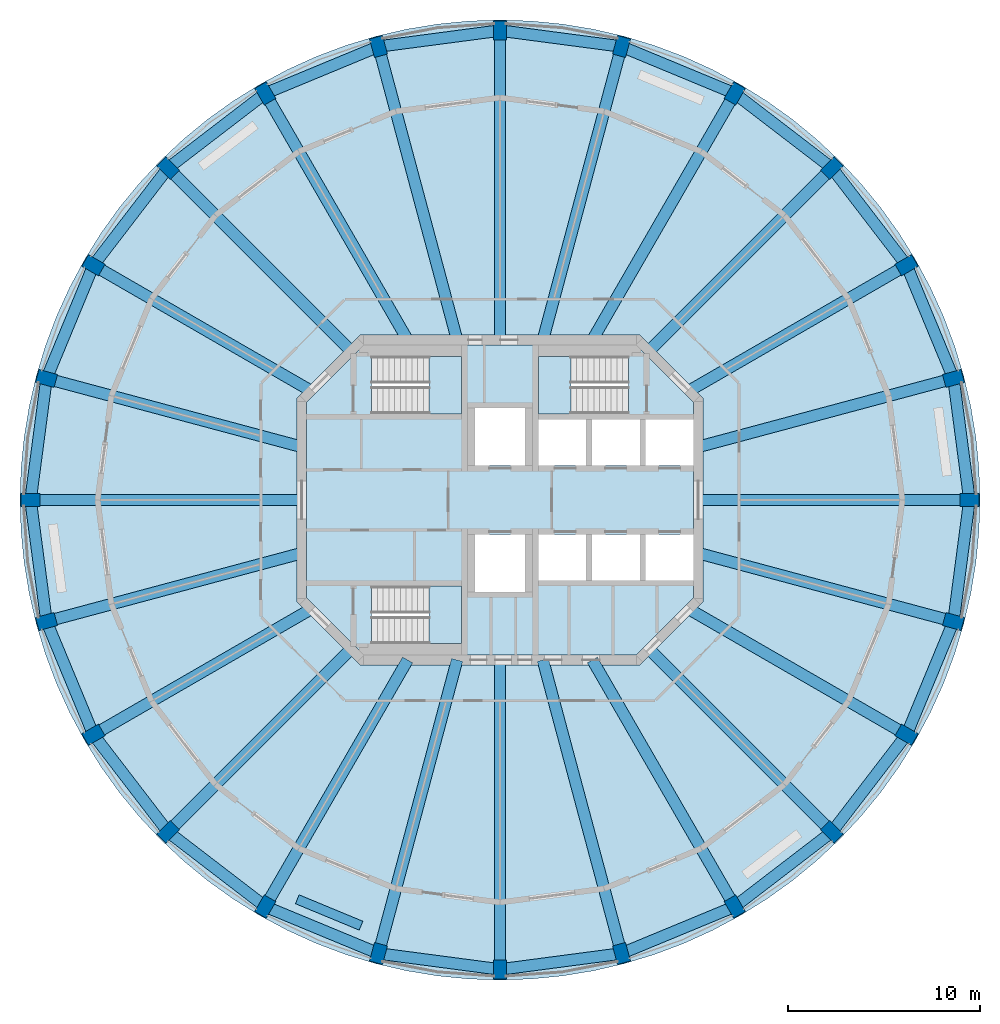
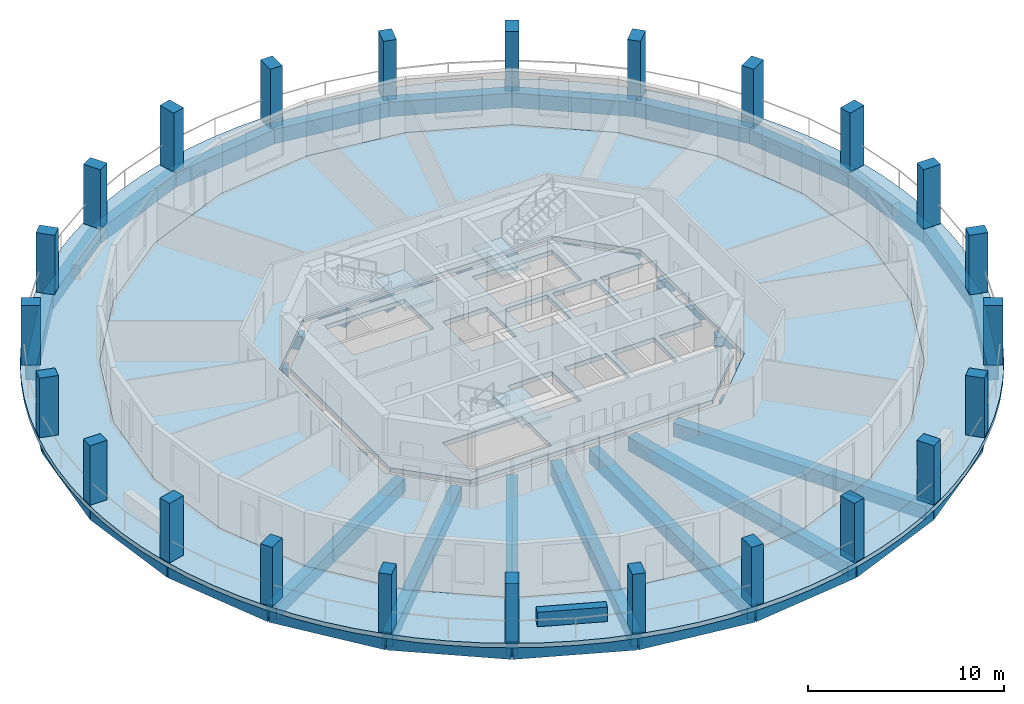
# One storey, part 1 of 9: 48 beams, 24 columns, 6 slabs, 1 wall, 3 elements without a shape of their own.
"""IFC4 building model written with IfcOpenShell, lengths in metres."""

from ifc_helpers import new_model, si_unit, direction, frame, frame_2d, origin, origin_2d, place, context, subcontext, project, spatial, polyline, rectangle, outline, extrude, material, layer, layer_set, material_profile, profile_set, type_object, element, aggregate, save


model = new_model("IFC4")

# Units and contexts
model_context = context("Model", 3, precision=1e-05, world=origin(), true_north=direction((0.0, 1.0)))
body_context = subcontext(model_context, "Body", "Model", "MODEL_VIEW")
ifc_project = project(units=[si_unit("LENGTHUNIT", "METRE"), si_unit("AREAUNIT", "SQUARE_METRE"), si_unit("VOLUMEUNIT", "CUBIC_METRE"), si_unit("PLANEANGLEUNIT", "RADIAN"), si_unit("MASSUNIT", "GRAM", prefix="KILO")], contexts=[model_context])

# Site, building, storey
site_placement = place(None, origin())
site = spatial("IfcSite", under=ifc_project, at=site_placement, CompositionType="ELEMENT")
building_placement = place(site_placement, origin())
building = spatial("IfcBuilding", under=site, at=building_placement, Name="Torre Triforio", CompositionType="ELEMENT")
storey_placement = place(building_placement, frame((0.0, 0.0, 272.300048828125)))
storey = spatial("IfcBuildingStorey", under=building, at=storey_placement, Name="L63", CompositionType="ELEMENT", Elevation=272.300048828125)

# Columns
ifc_material_1 = material(Name="Concrete C40", Category="concrete")
ifc_material_profile_1 = material_profile(ifc_material_1, rectangle(XDim=0.699951171875, YDim=1.0, at=origin_2d()), Name="RC 700x1000")
ifc_profile_set_1 = profile_set([ifc_material_profile_1], Name="Concrete C40")
column_type = type_object("IfcColumnType", Name="Pier RC 700x1000 C40", PredefinedType="COLUMN", material=ifc_profile_set_1)
for number, where, z_axis, x_axis, name in (
    (1, (24.5, 0.0, 0.0), (0.0, 0.0, 1.0), (0.0, 1.0, 0.0), "COL.R.L63.00"),
    (2, (23.665283203125, 6.341064453125, 0.0), (0.0, 0.0, 1.0), (-0.258819045103, 0.965925826289, 0.0), "COL.R.L63.01"),
    (3, (21.217529296875, 12.25, 0.0), (0.0, 0.0, 1.0), (-0.5, 0.866025403784, 0.0), "COL.R.L63.02"),
    (4, (17.32421875, 17.32421875, 0.0), (0.0, 0.0, 1.0), (-0.707106781187, 0.707106781187, 0.0), "COL.R.L63.03"),
    (5, (12.25, 21.217529296875, 0.0), (0.0, 0.0, 1.0), (-0.866025403784, 0.5, 0.0), "COL.R.L63.04"),
    (6, (6.341064453125, 23.665283203125, 0.0), (0.0, 0.0, 1.0), (-0.965925826289, 0.258819045103, 0.0), "COL.R.L63.05"),
    (7, (0.0, 24.5, 0.0), (0.0, 0.0, 1.0), (-1.0, 0.0, 0.0), "COL.R.L63.06"),
    (8, (-6.341064453125, 23.665283203125, 0.0), (0.0, 0.0, 1.0), (-0.965925826289, -0.258819045103, 0.0), "COL.R.L63.07"),
    (9, (-12.25, 21.217529296875, 0.0), (0.0, 0.0, 1.0), (-0.866025403784, -0.5, 0.0), "COL.R.L63.08"),
    (10, (-17.32421875, 17.32421875, 0.0), (0.0, 0.0, 1.0), (-0.707106781187, -0.707106781187, 0.0), "COL.R.L63.09"),
    (11, (-21.217529296875, 12.25, 0.0), (0.0, 0.0, 1.0), (-0.5, -0.866025403784, 0.0), "COL.R.L63.10"),
    (12, (-23.665283203125, 6.341064453125, 0.0), (0.0, 0.0, 1.0), (-0.258819045103, -0.965925826289, 0.0), "COL.R.L63.11"),
    (13, (-24.5, 0.0, 0.0), (0.0, 0.0, 1.0), (0.0, -1.0, 0.0), "COL.R.L63.12"),
    (14, (-23.665283203125, -6.341064453125, 0.0), (0.0, 0.0, 1.0), (0.258819045103, -0.965925826289, 0.0), "COL.R.L63.13"),
    (15, (-21.217529296875, -12.25, 0.0), (0.0, 0.0, 1.0), (0.5, -0.866025403784, 0.0), "COL.R.L63.14"),
    (16, (-17.32421875, -17.32421875, 0.0), (0.0, 0.0, 1.0), (0.707106781187, -0.707106781187, 0.0), "COL.R.L63.15"),
    (17, (-12.25, -21.217529296875, 0.0), (0.0, 0.0, 1.0), (0.866025403784, -0.5, 0.0), "COL.R.L63.16"),
    (18, (-6.341064453125, -23.665283203125, 0.0), (0.0, 0.0, 1.0), (0.965925826289, -0.258819045103, 0.0), "COL.R.L63.17"),
    (19, (0.0, -24.5, 0.0), (0.0, 0.0, 1.0), (1.0, 0.0, 0.0), "COL.R.L63.18"),
    (20, (6.341064453125, -23.665283203125, 0.0), (0.0, 0.0, 1.0), (0.965925826289, 0.258819045103, 0.0), "COL.R.L63.19"),
    (21, (12.25, -21.217529296875, 0.0), (0.0, 0.0, 1.0), (0.866025403784, 0.5, 0.0), "COL.R.L63.20"),
    (22, (17.32421875, -17.32421875, 0.0), (0.0, 0.0, 1.0), (0.707106781187, 0.707106781187, 0.0), "COL.R.L63.21"),
    (23, (21.217529296875, -12.25, 0.0), (0.0, 0.0, 1.0), (0.5, 0.866025403784, 0.0), "COL.R.L63.22"),
    (24, (23.665283203125, -6.341064453125, 0.0), (0.0, 0.0, 1.0), (0.258819045103, 0.965925826289, 0.0), "COL.R.L63.23"),
):
    element("IfcColumn", number, at=place(storey_placement, frame(where, z_axis=z_axis, x_axis=x_axis)), inside=storey, type_object=column_type, Name=name, PredefinedType="COLUMN", context=body_context, shape_type="SweptSolid", body=[
        extrude(rectangle(XDim=0.699951171875, YDim=1.0, at=origin_2d()), origin(), (0.0, 0.0, 1.0), 3.699951171875),
    ])

# Beams
ifc_material_profile_2 = material_profile(ifc_material_1, rectangle(XDim=0.60009765625, YDim=0.85009765625, at=origin_2d()), Name="RC 600x850")
ifc_profile_set_2 = profile_set([ifc_material_profile_2], Name="Concrete C40")
beam_type_1 = type_object("IfcBeamType", Name="Radial beam RC 600x850 C40", PredefinedType="BEAM", material=ifc_profile_set_2)
beam_1_placement = place(storey_placement, frame((10.35009765625, 0.0, -0.705078125), z_axis=(1.0, 0.0, 0.0), x_axis=(0.0, 1.0, 0.0)))
element("IfcBeam", 25, at=beam_1_placement, inside=storey, type_object=beam_type_1, Name="BM.R.L63.00", PredefinedType="BEAM", context=body_context, shape_type="SweptSolid", body=[
    extrude(rectangle(XDim=0.60009765625, YDim=0.85009765625, at=origin_2d()), origin(), (0.0, 0.0, 1.0), 14.14990234375),
])
beam_2_placement = place(storey_placement, frame((10.35009765625, 2.773193359375, -0.705078125), z_axis=(0.965924413872, 0.258824316257, 0.0), x_axis=(-0.258824316257, 0.965924413872, 0.0)))
element("IfcBeam", 26, at=beam_2_placement, inside=storey, type_object=beam_type_1, Name="BM.R.L63.01", PredefinedType="BEAM", context=body_context, shape_type="SweptSolid", body=[
    extrude(rectangle(XDim=0.60009765625, YDim=0.85009765625, at=origin_2d()), origin(), (0.0, 0.0, 1.0), 13.784912109375),
])
beam_3_placement = place(storey_placement, frame((9.860595703125, 5.693115234375, -0.705078125), z_axis=(0.866026853401, 0.499997489182, 0.0), x_axis=(-0.499997489182, 0.866026853401, 0.0)))
element("IfcBeam", 27, at=beam_3_placement, inside=storey, type_object=beam_type_1, Name="BM.R.L63.02", PredefinedType="BEAM", context=body_context, shape_type="SweptSolid", body=[
    extrude(rectangle(XDim=0.60009765625, YDim=0.85009765625, at=origin_2d()), origin(), (0.0, 0.0, 1.0), 13.11376953125),
])
beam_4_placement = place(storey_placement, frame((7.77685546875, 7.77685546875, -0.705078125), z_axis=(0.707106781187, 0.707106781187, 0.0), x_axis=(-0.707106781187, 0.707106781187, 0.0)))
element("IfcBeam", 28, at=beam_4_placement, inside=storey, type_object=beam_type_1, Name="BM.R.L63.03", PredefinedType="BEAM", context=body_context, shape_type="SweptSolid", body=[
    extrude(rectangle(XDim=0.60009765625, YDim=0.85009765625, at=origin_2d()), origin(), (0.0, 0.0, 1.0), 13.501953125),
])
beam_5_placement = place(storey_placement, frame((4.82080078125, 8.35009765625, -0.705078125), z_axis=(0.50000929273, 0.866020038558, 0.0), x_axis=(-0.866020038558, 0.50000929273, 0.0)))
element("IfcBeam", 29, at=beam_5_placement, inside=storey, type_object=beam_type_1, Name="BM.R.L63.04", PredefinedType="BEAM", context=body_context, shape_type="SweptSolid", body=[
    extrude(rectangle(XDim=0.60009765625, YDim=0.85009765625, at=origin_2d()), origin(), (0.0, 0.0, 1.0), 14.858154296875),
])
beam_6_placement = place(storey_placement, frame((2.2373046875, 8.35009765625, -0.705078125), z_axis=(0.258823056343, 0.965924751471, 0.0), x_axis=(-0.965924751471, 0.258823056343, 0.0)))
element("IfcBeam", 30, at=beam_6_placement, inside=storey, type_object=beam_type_1, Name="BM.R.L63.05", PredefinedType="BEAM", context=body_context, shape_type="SweptSolid", body=[
    extrude(rectangle(XDim=0.60009765625, YDim=0.85009765625, at=origin_2d()), origin(), (0.0, 0.0, 1.0), 15.85546875),
])
beam_7_placement = place(storey_placement, frame((0.0, 8.35009765625, -0.705078125), z_axis=(0.0, 1.0, 0.0), x_axis=(-1.0, 0.0, 0.0)))
element("IfcBeam", 31, at=beam_7_placement, inside=storey, type_object=beam_type_1, Name="BM.R.L63.06", PredefinedType="BEAM", context=body_context, shape_type="SweptSolid", body=[
    extrude(rectangle(XDim=0.60009765625, YDim=0.85009765625, at=origin_2d()), origin(), (0.0, 0.0, 1.0), 16.14990234375),
])
beam_8_placement = place(storey_placement, frame((-2.2373046875, 8.35009765625, -0.705078125), z_axis=(-0.258823056343, 0.965924751471, 0.0), x_axis=(-0.965924751471, -0.258823056343, 0.0)))
element("IfcBeam", 32, at=beam_8_placement, inside=storey, type_object=beam_type_1, Name="BM.R.L63.07", PredefinedType="BEAM", context=body_context, shape_type="SweptSolid", body=[
    extrude(rectangle(XDim=0.60009765625, YDim=0.85009765625, at=origin_2d()), origin(), (0.0, 0.0, 1.0), 15.85546875),
])
beam_9_placement = place(storey_placement, frame((-4.82080078125, 8.35009765625, -0.705078125), z_axis=(-0.50000929273, 0.866020038558, 0.0), x_axis=(-0.866020038558, -0.50000929273, 0.0)))
element("IfcBeam", 33, at=beam_9_placement, inside=storey, type_object=beam_type_1, Name="BM.R.L63.08", PredefinedType="BEAM", context=body_context, shape_type="SweptSolid", body=[
    extrude(rectangle(XDim=0.60009765625, YDim=0.85009765625, at=origin_2d()), origin(), (0.0, 0.0, 1.0), 14.858154296875),
])
beam_10_placement = place(storey_placement, frame((-7.77685546875, 7.77685546875, -0.705078125), z_axis=(-0.707106781187, 0.707106781187, 0.0), x_axis=(-0.707106781187, -0.707106781187, 0.0)))
element("IfcBeam", 34, at=beam_10_placement, inside=storey, type_object=beam_type_1, Name="BM.R.L63.09", PredefinedType="BEAM", context=body_context, shape_type="SweptSolid", body=[
    extrude(rectangle(XDim=0.60009765625, YDim=0.85009765625, at=origin_2d()), origin(), (0.0, 0.0, 1.0), 13.501953125),
])
beam_11_placement = place(storey_placement, frame((-9.860595703125, 5.693115234375, -0.705078125), z_axis=(-0.866026853401, 0.499997489182, 0.0), x_axis=(-0.499997489182, -0.866026853401, 0.0)))
element("IfcBeam", 35, at=beam_11_placement, inside=storey, type_object=beam_type_1, Name="BM.R.L63.10", PredefinedType="BEAM", context=body_context, shape_type="SweptSolid", body=[
    extrude(rectangle(XDim=0.60009765625, YDim=0.85009765625, at=origin_2d()), origin(), (0.0, 0.0, 1.0), 13.11376953125),
])
beam_12_placement = place(storey_placement, frame((-10.35009765625, 2.773193359375, -0.705078125), z_axis=(-0.965924413872, 0.258824316257, 0.0), x_axis=(-0.258824316257, -0.965924413872, 0.0)))
element("IfcBeam", 36, at=beam_12_placement, inside=storey, type_object=beam_type_1, Name="BM.R.L63.11", PredefinedType="BEAM", context=body_context, shape_type="SweptSolid", body=[
    extrude(rectangle(XDim=0.60009765625, YDim=0.85009765625, at=origin_2d()), origin(), (0.0, 0.0, 1.0), 13.784912109375),
])
beam_13_placement = place(storey_placement, frame((-10.35009765625, 0.0, -0.705078125), z_axis=(-1.0, 0.0, 0.0), x_axis=(0.0, -1.0, 0.0)))
element("IfcBeam", 37, at=beam_13_placement, inside=storey, type_object=beam_type_1, Name="BM.R.L63.12", PredefinedType="BEAM", context=body_context, shape_type="SweptSolid", body=[
    extrude(rectangle(XDim=0.60009765625, YDim=0.85009765625, at=origin_2d()), origin(), (0.0, 0.0, 1.0), 14.14990234375),
])
beam_14_placement = place(storey_placement, frame((-10.35009765625, -2.773193359375, -0.705078125), z_axis=(-0.965924413872, -0.258824316257, 0.0), x_axis=(0.258824316257, -0.965924413872, 0.0)))
element("IfcBeam", 38, at=beam_14_placement, inside=storey, type_object=beam_type_1, Name="BM.R.L63.13", PredefinedType="BEAM", context=body_context, shape_type="SweptSolid", body=[
    extrude(rectangle(XDim=0.60009765625, YDim=0.85009765625, at=origin_2d()), origin(), (0.0, 0.0, 1.0), 13.784912109375),
])
beam_15_placement = place(storey_placement, frame((-9.860595703125, -5.693115234375, -0.705078125), z_axis=(-0.866026853401, -0.499997489182, 0.0), x_axis=(0.499997489182, -0.866026853401, 0.0)))
element("IfcBeam", 39, at=beam_15_placement, inside=storey, type_object=beam_type_1, Name="BM.R.L63.14", PredefinedType="BEAM", context=body_context, shape_type="SweptSolid", body=[
    extrude(rectangle(XDim=0.60009765625, YDim=0.85009765625, at=origin_2d()), origin(), (0.0, 0.0, 1.0), 13.11376953125),
])
beam_16_placement = place(storey_placement, frame((-7.77685546875, -7.77685546875, -0.705078125), z_axis=(-0.707106781187, -0.707106781187, 0.0), x_axis=(0.707106781187, -0.707106781187, 0.0)))
element("IfcBeam", 40, at=beam_16_placement, inside=storey, type_object=beam_type_1, Name="BM.R.L63.15", PredefinedType="BEAM", context=body_context, shape_type="SweptSolid", body=[
    extrude(rectangle(XDim=0.60009765625, YDim=0.85009765625, at=origin_2d()), origin(), (0.0, 0.0, 1.0), 13.501953125),
])
beam_17_placement = place(storey_placement, frame((-4.82080078125, -8.35009765625, -0.705078125), z_axis=(-0.50000929273, -0.866020038558, 0.0), x_axis=(0.866020038558, -0.50000929273, 0.0)))
element("IfcBeam", 41, at=beam_17_placement, inside=storey, type_object=beam_type_1, Name="BM.R.L63.16", PredefinedType="BEAM", context=body_context, shape_type="SweptSolid", body=[
    extrude(rectangle(XDim=0.60009765625, YDim=0.85009765625, at=origin_2d()), origin(), (0.0, 0.0, 1.0), 14.858154296875),
])
beam_18_placement = place(storey_placement, frame((-2.2373046875, -8.35009765625, -0.705078125), z_axis=(-0.258823056343, -0.965924751471, 0.0), x_axis=(0.965924751471, -0.258823056343, 0.0)))
element("IfcBeam", 42, at=beam_18_placement, inside=storey, type_object=beam_type_1, Name="BM.R.L63.17", PredefinedType="BEAM", context=body_context, shape_type="SweptSolid", body=[
    extrude(rectangle(XDim=0.60009765625, YDim=0.85009765625, at=origin_2d()), origin(), (0.0, 0.0, 1.0), 15.85546875),
])
beam_19_placement = place(storey_placement, frame((0.0, -8.35009765625, -0.705078125), z_axis=(0.0, -1.0, 0.0), x_axis=(1.0, 0.0, 0.0)))
element("IfcBeam", 43, at=beam_19_placement, inside=storey, type_object=beam_type_1, Name="BM.R.L63.18", PredefinedType="BEAM", context=body_context, shape_type="SweptSolid", body=[
    extrude(rectangle(XDim=0.60009765625, YDim=0.85009765625, at=origin_2d()), origin(), (0.0, 0.0, 1.0), 16.14990234375),
])
beam_20_placement = place(storey_placement, frame((2.2373046875, -8.35009765625, -0.705078125), z_axis=(0.258823056343, -0.965924751471, 0.0), x_axis=(0.965924751471, 0.258823056343, 0.0)))
element("IfcBeam", 44, at=beam_20_placement, inside=storey, type_object=beam_type_1, Name="BM.R.L63.19", PredefinedType="BEAM", context=body_context, shape_type="SweptSolid", body=[
    extrude(rectangle(XDim=0.60009765625, YDim=0.85009765625, at=origin_2d()), origin(), (0.0, 0.0, 1.0), 15.85546875),
])
beam_21_placement = place(storey_placement, frame((4.82080078125, -8.35009765625, -0.705078125), z_axis=(0.50000929273, -0.866020038558, 0.0), x_axis=(0.866020038558, 0.50000929273, 0.0)))
element("IfcBeam", 45, at=beam_21_placement, inside=storey, type_object=beam_type_1, Name="BM.R.L63.20", PredefinedType="BEAM", context=body_context, shape_type="SweptSolid", body=[
    extrude(rectangle(XDim=0.60009765625, YDim=0.85009765625, at=origin_2d()), origin(), (0.0, 0.0, 1.0), 14.858154296875),
])
beam_22_placement = place(storey_placement, frame((7.77685546875, -7.77685546875, -0.705078125), z_axis=(0.707106781187, -0.707106781187, 0.0), x_axis=(0.707106781187, 0.707106781187, 0.0)))
element("IfcBeam", 46, at=beam_22_placement, inside=storey, type_object=beam_type_1, Name="BM.R.L63.21", PredefinedType="BEAM", context=body_context, shape_type="SweptSolid", body=[
    extrude(rectangle(XDim=0.60009765625, YDim=0.85009765625, at=origin_2d()), origin(), (0.0, 0.0, 1.0), 13.501953125),
])
beam_23_placement = place(storey_placement, frame((9.860595703125, -5.693115234375, -0.705078125), z_axis=(0.866026853401, -0.499997489182, 0.0), x_axis=(0.499997489182, 0.866026853401, 0.0)))
element("IfcBeam", 47, at=beam_23_placement, inside=storey, type_object=beam_type_1, Name="BM.R.L63.22", PredefinedType="BEAM", context=body_context, shape_type="SweptSolid", body=[
    extrude(rectangle(XDim=0.60009765625, YDim=0.85009765625, at=origin_2d()), origin(), (0.0, 0.0, 1.0), 13.11376953125),
])
beam_24_placement = place(storey_placement, frame((10.35009765625, -2.773193359375, -0.705078125), z_axis=(0.965924413872, -0.258824316257, 0.0), x_axis=(0.258824316257, 0.965924413872, 0.0)))
element("IfcBeam", 48, at=beam_24_placement, inside=storey, type_object=beam_type_1, Name="BM.R.L63.23", PredefinedType="BEAM", context=body_context, shape_type="SweptSolid", body=[
    extrude(rectangle(XDim=0.60009765625, YDim=0.85009765625, at=origin_2d()), origin(), (0.0, 0.0, 1.0), 13.784912109375),
])
ifc_material_profile_3 = material_profile(ifc_material_1, rectangle(XDim=0.60009765625, YDim=0.89990234375, at=origin_2d()), Name="RC 600x900")
ifc_profile_set_3 = profile_set([ifc_material_profile_3], Name="Concrete C40")
beam_type_2 = type_object("IfcBeamType", Name="Spandrel beam RC 600x900 C40", PredefinedType="SPANDREL", material=ifc_profile_set_3)
for number, where, z_axis, x_axis, name in (
    (49, (24.5, 0.0, -0.72998046875), (-0.130510796237, 0.991446888172, 0.0), (-0.991446888172, -0.130510796237, 0.0), "BM.S.L63.00"),
    (50, (23.665283203125, 6.341064453125, -0.72998046875), (-0.382709143949, 0.923868882006, 0.0), (-0.923868882006, -0.382709143949, 0.0), "BM.S.L63.01"),
    (51, (21.217529296875, 12.25, -0.72998046875), (-0.60873442055, 0.79337406388, 0.0), (-0.79337406388, -0.60873442055, 0.0), "BM.S.L63.02"),
    (52, (17.32421875, 17.32421875, -0.72998046875), (-0.79337406388, 0.60873442055, 0.0), (-0.60873442055, -0.79337406388, 0.0), "BM.S.L63.03"),
    (53, (12.25, 21.217529296875, -0.72998046875), (-0.923868882006, 0.382709143949, 0.0), (-0.382709143949, -0.923868882006, 0.0), "BM.S.L63.04"),
    (54, (6.341064453125, 23.665283203125, -0.72998046875), (-0.991446888172, 0.130510796237, 0.0), (-0.130510796237, -0.991446888172, 0.0), "BM.S.L63.05"),
    (55, (0.0, 24.5, -0.72998046875), (-0.991446888172, -0.130510796237, 0.0), (0.130510796237, -0.991446888172, 0.0), "BM.S.L63.06"),
    (56, (-6.341064453125, 23.665283203125, -0.72998046875), (-0.923868882006, -0.382709143949, 0.0), (0.382709143949, -0.923868882006, 0.0), "BM.S.L63.07"),
    (57, (-12.25, 21.217529296875, -0.72998046875), (-0.79337406388, -0.60873442055, 0.0), (0.60873442055, -0.79337406388, 0.0), "BM.S.L63.08"),
    (58, (-17.32421875, 17.32421875, -0.72998046875), (-0.60873442055, -0.79337406388, 0.0), (0.79337406388, -0.60873442055, 0.0), "BM.S.L63.09"),
    (59, (-21.217529296875, 12.25, -0.72998046875), (-0.382709143949, -0.923868882006, 0.0), (0.923868882006, -0.382709143949, 0.0), "BM.S.L63.10"),
    (60, (-23.665283203125, 6.341064453125, -0.72998046875), (-0.130510796237, -0.991446888172, 0.0), (0.991446888172, -0.130510796237, 0.0), "BM.S.L63.11"),
    (61, (-24.5, 0.0, -0.72998046875), (0.130510796237, -0.991446888172, 0.0), (0.991446888172, 0.130510796237, 0.0), "BM.S.L63.12"),
    (62, (-23.665283203125, -6.341064453125, -0.72998046875), (0.382709143949, -0.923868882006, 0.0), (0.923868882006, 0.382709143949, 0.0), "BM.S.L63.13"),
    (63, (-21.217529296875, -12.25, -0.72998046875), (0.60873442055, -0.79337406388, 0.0), (0.79337406388, 0.60873442055, 0.0), "BM.S.L63.14"),
    (64, (-17.32421875, -17.32421875, -0.72998046875), (0.79337406388, -0.60873442055, 0.0), (0.60873442055, 0.79337406388, 0.0), "BM.S.L63.15"),
    (65, (-12.25, -21.217529296875, -0.72998046875), (0.923868882006, -0.382709143949, 0.0), (0.382709143949, 0.923868882006, 0.0), "BM.S.L63.16"),
    (66, (-6.341064453125, -23.665283203125, -0.72998046875), (0.991446888172, -0.130510796237, 0.0), (0.130510796237, 0.991446888172, 0.0), "BM.S.L63.17"),
    (67, (0.0, -24.5, -0.72998046875), (0.991446888172, 0.130510796237, 0.0), (-0.130510796237, 0.991446888172, 0.0), "BM.S.L63.18"),
    (68, (6.341064453125, -23.665283203125, -0.72998046875), (0.923868882006, 0.382709143949, 0.0), (-0.382709143949, 0.923868882006, 0.0), "BM.S.L63.19"),
    (69, (12.25, -21.217529296875, -0.72998046875), (0.79337406388, 0.60873442055, 0.0), (-0.60873442055, 0.79337406388, 0.0), "BM.S.L63.20"),
    (70, (17.32421875, -17.32421875, -0.72998046875), (0.60873442055, 0.79337406388, 0.0), (-0.79337406388, 0.60873442055, 0.0), "BM.S.L63.21"),
    (71, (21.217529296875, -12.25, -0.72998046875), (0.382709143949, 0.923868882006, 0.0), (-0.923868882006, 0.382709143949, 0.0), "BM.S.L63.22"),
    (72, (23.665283203125, -6.341064453125, -0.72998046875), (0.130510796237, 0.991446888172, 0.0), (-0.991446888172, 0.130510796237, 0.0), "BM.S.L63.23"),
):
    element("IfcBeam", number, at=place(storey_placement, frame(where, z_axis=z_axis, x_axis=x_axis)), inside=storey, type_object=beam_type_2, Name=name, PredefinedType="SPANDREL", context=body_context, shape_type="SweptSolid", body=[
        extrude(rectangle(XDim=0.60009765625, YDim=0.89990234375, at=origin_2d()), origin(), (0.0, 0.0, 1.0), 6.395751953125),
    ])

# Slabs
ifc_layer_1 = layer(ifc_material_1, 0.280029296875)
ifc_layer_set_1 = layer_set([ifc_layer_1], Name="Concrete C40")
slab_type_1 = type_object("IfcSlabType", Name="Core floor slab 280 mm C40 REI 120", PredefinedType="FLOOR", material=ifc_layer_set_1)
slab_1_placement = place(storey_placement, frame((0.0, 0.0, -0.280029296875)))
element("IfcSlab", 73, at=slab_1_placement, inside=storey, type_object=slab_type_1, Name="Core floor slab", PredefinedType="FLOOR", context=body_context, shape_type="SweptSolid", body=[
    extrude(outline(polyline([(10.10009765625, -5.10009765625), (7.10009765625, -8.10009765625), (-7.10009765625, -8.10009765625), (-10.10009765625, -5.10009765625), (-10.10009765625, 5.10009765625), (-7.10009765625, 8.10009765625), (7.10009765625, 8.10009765625), (10.10009765625, 5.10009765625), (10.10009765625, 4.199951171875), (7.60009765625, 4.199951171875), (7.60009765625, 1.800048828125), (10.10009765625, 1.800048828125), (10.10009765625, -1.800048828125), (7.60009765625, -1.800048828125), (7.60009765625, -4.199951171875), (10.10009765625, -4.199951171875), (10.10009765625, -5.10009765625)]), holes=[polyline([(-6.696044921875, -4.5), (-6.696044921875, -7.5), (-2.0, -7.5), (-2.0, -4.5), (-6.696044921875, -4.5)]), polyline([(-1.300048828125, -1.800048828125), (-1.300048828125, -4.800048828125), (1.300048828125, -4.800048828125), (1.300048828125, -1.800048828125), (-1.300048828125, -1.800048828125)]), polyline([(2.0, -1.800048828125), (2.0, -4.199951171875), (4.5, -4.199951171875), (4.5, -1.800048828125), (2.0, -1.800048828125)]), polyline([(4.5, 4.199951171875), (2.0, 4.199951171875), (2.0, 1.800048828125), (4.5, 1.800048828125), (4.5, 4.199951171875)]), polyline([(1.300048828125, 4.800048828125), (-1.300048828125, 4.800048828125), (-1.300048828125, 1.800048828125), (1.300048828125, 1.800048828125), (1.300048828125, 4.800048828125)]), polyline([(-6.696044921875, 7.5), (-6.696044921875, 4.5), (-2.0, 4.5), (-2.0, 7.5), (-6.696044921875, 7.5)]), polyline([(7.300048828125, -1.800048828125), (4.800048828125, -1.800048828125), (4.800048828125, -4.199951171875), (7.300048828125, -4.199951171875), (7.300048828125, -1.800048828125)]), polyline([(4.800048828125, 4.199951171875), (4.800048828125, 1.800048828125), (7.300048828125, 1.800048828125), (7.300048828125, 4.199951171875), (4.800048828125, 4.199951171875)]), polyline([(6.696044921875, 7.5), (2.0, 7.5), (2.0, 4.5), (6.696044921875, 4.5), (6.696044921875, 7.5)])]), origin(), (0.0, 0.0, 1.0), 0.280029296875),
])
ifc_layer_2 = layer(ifc_material_1, 0.280029296875)
ifc_layer_set_2 = layer_set([ifc_layer_2], Name="Concrete C40")
slab_type_2 = type_object("IfcSlabType", Name="Floor slab 280 C40", PredefinedType="FLOOR", material=ifc_layer_set_2)
slab_2_placement = place(storey_placement, frame((0.0, 0.0, -0.280029296875)))
element("IfcSlab", 74, at=slab_2_placement, inside=storey, type_object=slab_type_2, Name="SL.L63", PredefinedType="FLOOR", context=body_context, shape_type="SweptSolid", body=[
    extrude(outline(polyline([(18.1865234375, -10.5), (20.284423828125, -5.435302734375), (21.0, 0.0), (20.284423828125, 5.435302734375), (18.1865234375, 10.5), (14.84912109375, 14.84912109375), (10.5, 18.1865234375), (5.435302734375, 20.284423828125), (0.0, 21.0), (-5.435302734375, 20.284423828125), (-10.5, 18.1865234375), (-14.84912109375, 14.84912109375), (-18.1865234375, 10.5), (-20.284423828125, 5.435302734375), (-21.0, 0.0), (-20.284423828125, -5.435302734375), (-18.1865234375, -10.5), (-14.84912109375, -14.84912109375), (-10.5, -18.1865234375), (-5.435302734375, -20.284423828125), (0.0, -21.0), (5.435302734375, -20.284423828125), (10.5, -18.1865234375), (14.84912109375, -14.84912109375), (18.1865234375, -10.5)]), holes=[polyline([(10.60009765625, 5.30712890625), (10.60009765625, -5.30712890625), (7.30712890625, -8.60009765625), (-7.30712890625, -8.60009765625), (-10.60009765625, -5.30712890625), (-10.60009765625, 5.30712890625), (-7.30712890625, 8.60009765625), (7.30712890625, 8.60009765625), (10.60009765625, 5.30712890625)])]), origin(), (0.0, 0.0, 1.0), 0.280029296875),
])
ifc_layer_3 = layer(ifc_material_1, 0.280029296875)
ifc_layer_set_3 = layer_set([ifc_layer_3], Name="Concrete C40")
slab_type_3 = type_object("IfcSlabType", Name="Loggia slab 280 C40", PredefinedType="FLOOR", material=ifc_layer_set_3)
slab_3_placement = place(storey_placement, frame((0.0, 0.0, -0.280029296875)))
element("IfcSlab", 75, at=slab_3_placement, inside=storey, type_object=slab_type_3, Name="SL.L63.LG", PredefinedType="FLOOR", context=body_context, shape_type="SweptSolid", body=[
    extrude(outline(polyline([(24.996337890625, -1.638427734375), (25.050048828125, 0.0), (24.996337890625, 1.638427734375), (24.835693359375, 3.269775390625), (24.568603515625, 4.886962890625), (24.196533203125, 6.4833984375), (23.720703125, 8.052001953125), (23.14306640625, 9.586181640625), (22.466552734375, 11.079345703125), (21.69384765625, 12.52490234375), (20.828369140625, 13.9169921875), (19.87353515625, 15.24951171875), (18.83349609375, 16.5166015625), (17.713134765625, 17.713134765625), (16.5166015625, 18.83349609375), (15.24951171875, 19.87353515625), (13.9169921875, 20.828369140625), (12.52490234375, 21.69384765625), (11.079345703125, 22.466552734375), (9.586181640625, 23.14306640625), (8.052001953125, 23.720703125), (6.4833984375, 24.196533203125), (4.886962890625, 24.568603515625), (3.269775390625, 24.835693359375), (1.638427734375, 24.996337890625), (0.0, 25.050048828125), (-1.638427734375, 24.996337890625), (-3.269775390625, 24.835693359375), (-4.886962890625, 24.568603515625), (-6.4833984375, 24.196533203125), (-8.052001953125, 23.720703125), (-9.586181640625, 23.14306640625), (-11.079345703125, 22.466552734375), (-12.52490234375, 21.69384765625), (-13.9169921875, 20.828369140625), (-15.24951171875, 19.87353515625), (-16.5166015625, 18.83349609375), (-17.713134765625, 17.713134765625), (-18.83349609375, 16.5166015625), (-19.87353515625, 15.24951171875), (-20.828369140625, 13.9169921875), (-21.69384765625, 12.52490234375), (-22.466552734375, 11.079345703125), (-23.14306640625, 9.586181640625), (-23.720703125, 8.052001953125), (-24.196533203125, 6.4833984375), (-24.568603515625, 4.886962890625), (-24.835693359375, 3.269775390625), (-24.996337890625, 1.638427734375), (-25.050048828125, 0.0), (-24.996337890625, -1.638427734375), (-24.835693359375, -3.269775390625), (-24.568603515625, -4.886962890625), (-24.196533203125, -6.4833984375), (-23.720703125, -8.052001953125), (-23.14306640625, -9.586181640625), (-22.466552734375, -11.079345703125), (-21.69384765625, -12.52490234375), (-20.828369140625, -13.9169921875), (-19.87353515625, -15.24951171875), (-18.83349609375, -16.5166015625), (-17.713134765625, -17.713134765625), (-16.5166015625, -18.83349609375), (-15.24951171875, -19.87353515625), (-13.9169921875, -20.828369140625), (-12.52490234375, -21.69384765625), (-11.079345703125, -22.466552734375), (-9.586181640625, -23.14306640625), (-8.052001953125, -23.720703125), (-6.4833984375, -24.196533203125), (-4.886962890625, -24.568603515625), (-3.269775390625, -24.835693359375), (-1.638427734375, -24.996337890625), (0.0, -25.050048828125), (1.638427734375, -24.996337890625), (3.269775390625, -24.835693359375), (4.886962890625, -24.568603515625), (6.4833984375, -24.196533203125), (8.052001953125, -23.720703125), (9.586181640625, -23.14306640625), (11.079345703125, -22.466552734375), (12.52490234375, -21.69384765625), (13.9169921875, -20.828369140625), (15.24951171875, -19.87353515625), (16.5166015625, -18.83349609375), (17.713134765625, -17.713134765625), (18.83349609375, -16.5166015625), (19.87353515625, -15.24951171875), (20.828369140625, -13.9169921875), (21.69384765625, -12.52490234375), (22.466552734375, -11.079345703125), (23.14306640625, -9.586181640625), (23.720703125, -8.052001953125), (24.196533203125, -6.4833984375), (24.568603515625, -4.886962890625), (24.835693359375, -3.269775390625), (24.996337890625, -1.638427734375)]), holes=[polyline([(20.284423828125, 5.435302734375), (21.0, 0.0), (20.284423828125, -5.435302734375), (18.1865234375, -10.5), (14.84912109375, -14.84912109375), (10.5, -18.1865234375), (5.435302734375, -20.284423828125), (0.0, -21.0), (-5.435302734375, -20.284423828125), (-10.5, -18.1865234375), (-14.84912109375, -14.84912109375), (-18.1865234375, -10.5), (-20.284423828125, -5.435302734375), (-21.0, 0.0), (-20.284423828125, 5.435302734375), (-18.1865234375, 10.5), (-14.84912109375, 14.84912109375), (-10.5, 18.1865234375), (-5.435302734375, 20.284423828125), (0.0, 21.0), (5.435302734375, 20.284423828125), (10.5, 18.1865234375), (14.84912109375, 14.84912109375), (18.1865234375, 10.5), (20.284423828125, 5.435302734375)])]), origin(), (0.0, 0.0, 1.0), 0.280029296875),
])

# Stair, slab
stair_type = type_object("IfcStairType", Name="STAIR HALF-TURN", PredefinedType="HALF_TURN_STAIR", material=ifc_material_1)
stair_1_placement = place(storey_placement, origin())
stair_1 = element("IfcStair", 76, at=stair_1_placement, inside=storey, type_object=stair_type, Name="Exit stair 1", PredefinedType="HALF_TURN_STAIR")
ifc_layer_4 = layer(ifc_material_1, 0.199951171875)
ifc_layer_set_4 = layer_set([ifc_layer_4], Name="Concrete C40")
slab_type_4 = type_object("IfcSlabType", Name="STAIR LANDING 200", PredefinedType="LANDING", material=ifc_layer_set_4)
slab_4_placement = place(storey_placement, frame((0.0, 0.0, 1.64990234375)))
slab_4 = element("IfcSlab", 77, at=slab_4_placement, type_object=slab_type_4, Name="ST1 landing 1", PredefinedType="LANDING", context=body_context, shape_type="SweptSolid", body=[
    extrude(outline(polyline([(-2.0, 4.5), (-2.0, 7.5), (-3.699951171875, 7.5), (-3.699951171875, 4.5), (-2.0, 4.5)])), origin(), (0.0, 0.0, 1.0), 0.199951171875),
])
aggregate(stair_1, [slab_4])

stair_2_placement = place(storey_placement, origin())
stair_2 = element("IfcStair", 78, at=stair_2_placement, inside=storey, type_object=stair_type, Name="Exit stair 2", PredefinedType="HALF_TURN_STAIR")
slab_5_placement = place(storey_placement, frame((0.0, 0.0, 1.64990234375)))
slab_5 = element("IfcSlab", 79, at=slab_5_placement, type_object=slab_type_4, Name="ST2 landing 1", PredefinedType="LANDING", context=body_context, shape_type="SweptSolid", body=[
    extrude(outline(polyline([(3.699951171875, 4.5), (3.699951171875, 7.5), (2.0, 7.5), (2.0, 4.5), (3.699951171875, 4.5)])), origin(), (0.0, 0.0, 1.0), 0.199951171875),
])
aggregate(stair_2, [slab_5])

stair_3_placement = place(storey_placement, origin())
stair_3 = element("IfcStair", 80, at=stair_3_placement, inside=storey, type_object=stair_type, Name="Exit stair 3", PredefinedType="HALF_TURN_STAIR")
slab_6_placement = place(storey_placement, frame((0.0, 0.0, 1.64990234375)))
slab_6 = element("IfcSlab", 81, at=slab_6_placement, type_object=slab_type_4, Name="ST3 landing 1", PredefinedType="LANDING", context=body_context, shape_type="SweptSolid", body=[
    extrude(outline(polyline([(-2.0, -7.5), (-2.0, -4.5), (-3.699951171875, -4.5), (-3.699951171875, -7.5), (-2.0, -7.5)])), origin(), (0.0, 0.0, 1.0), 0.199951171875),
])
aggregate(stair_3, [slab_6])

# Wall
ifc_material_2 = material(Name="Limestone cladding", Category="masonry")
ifc_layer_5 = layer(ifc_material_2, 0.10009765625)
ifc_layer_6 = layer(ifc_material_1, 0.39990234375)
ifc_layer_set_5 = layer_set([ifc_layer_5, ifc_layer_6], Name="Limestone cladding / Concrete C40")
wall_type = type_object("IfcWallType", Name="Planter wall 500", PredefinedType="PARAPET", material=ifc_layer_set_5)
wall_placement = place(storey_placement, frame((-10.57958984375, -20.837646484375, 0.0), z_axis=(0.0, 0.0, 1.0), x_axis=(0.923909393783, -0.382611332921, 0.0)))
element("IfcWall", 82, at=wall_placement, inside=storey, type_object=wall_type, Name="Planter L63 bay 17", PredefinedType="PARAPET", context=body_context, shape_type="SweptSolid", body=[
    extrude(rectangle(XDim=3.60009765625, YDim=0.5, at=frame_2d((1.800048828125, 0.0))), origin(), (0.0, 0.0, 1.0), 0.89990234375),
])

save(model, "model.ifc")
